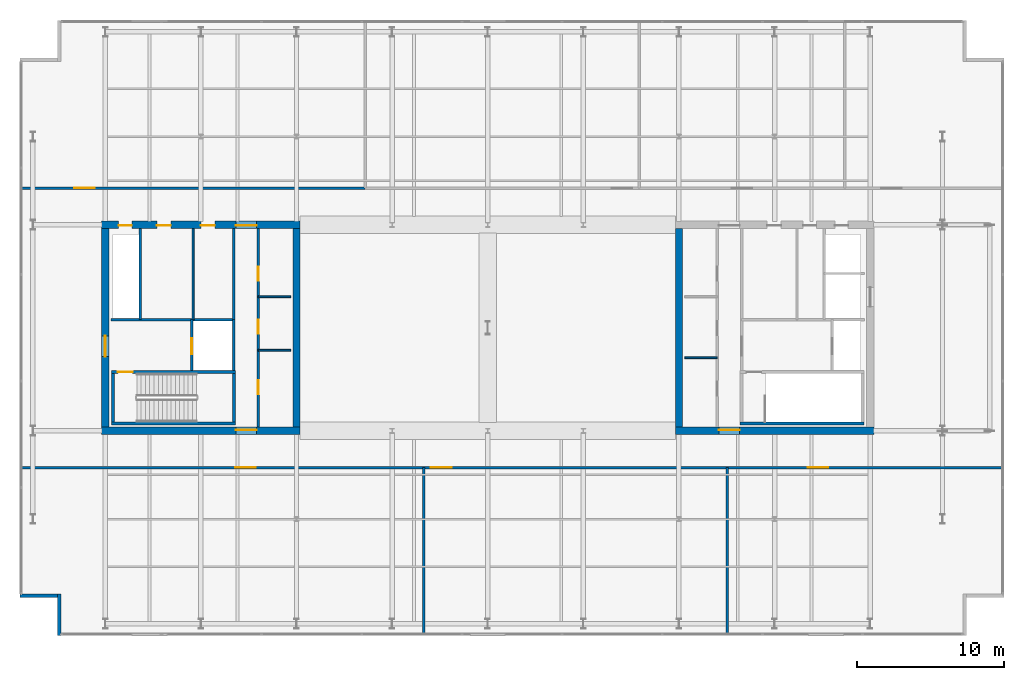
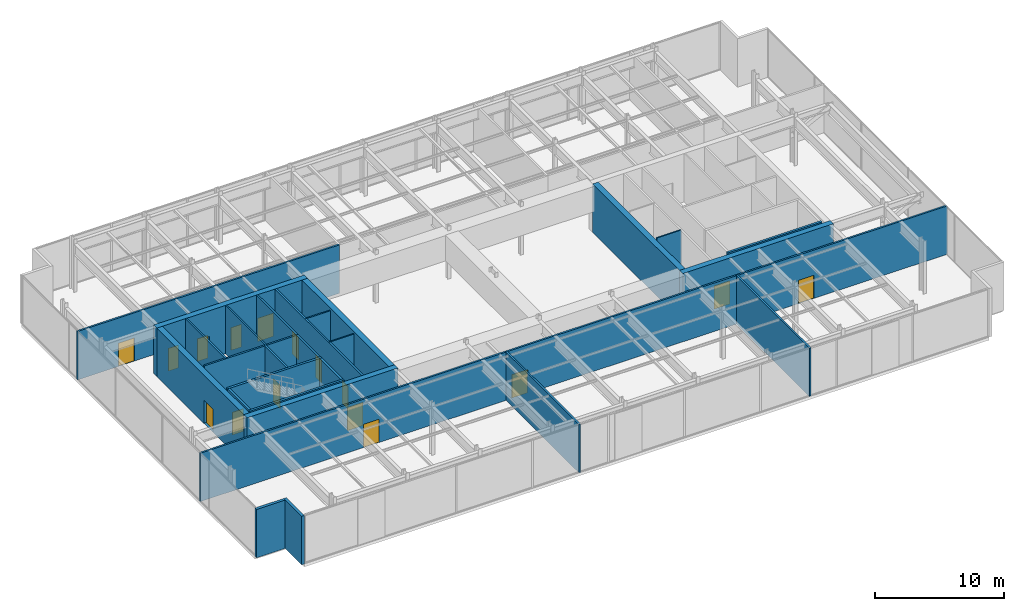
# One storey, part 18 of 21: 29 walls, 16 doors, 16 openings.
"""IFC4 building model written with IfcOpenShell, lengths in metres."""

from ifc_helpers import new_model, si_unit, direction, frame, frame_2d, origin, place, context, subcontext, project, spatial, rectangle, extrude, material, layer, layer_set, type_object, element, fill, save


model = new_model("IFC4")

# Units and contexts
model_context = context("Model", 3, precision=1e-05, world=origin(), true_north=direction((0.0, 1.0)))
body_context = subcontext(model_context, "Body", "Model", "MODEL_VIEW")
ifc_project = project(units=[si_unit("LENGTHUNIT", "METRE"), si_unit("AREAUNIT", "SQUARE_METRE"), si_unit("VOLUMEUNIT", "CUBIC_METRE"), si_unit("PLANEANGLEUNIT", "RADIAN"), si_unit("MASSUNIT", "GRAM", prefix="KILO")], contexts=[model_context])

# Site, building, storey
site_placement = place(None, origin())
site = spatial("IfcSite", under=ifc_project, at=site_placement, CompositionType="ELEMENT")
building_placement = place(site_placement, origin())
building = spatial("IfcBuilding", under=site, at=building_placement, Name="Putna Gate Headquarters", CompositionType="ELEMENT")
storey_placement = place(building_placement, frame((0.0, 0.0, 315.39990234375)))
storey = spatial("IfcBuildingStorey", under=building, at=storey_placement, Name="L79", CompositionType="ELEMENT", Elevation=315.39990234375)

# Wall, opening, door
ifc_material_1 = material(Name="Concrete C50/60", Category="concrete")
ifc_layer_1 = layer(ifc_material_1, 0.5)
ifc_layer_set_1 = layer_set([ifc_layer_1], Name="Concrete C50/60")
wall_type_1 = type_object("IfcWallType", Name="WALL-CORE-500", PredefinedType="SHEAR", material=ifc_layer_set_1)
wall_1_placement = place(storey_placement, frame((12.75, 19.0, 0.0), z_axis=(0.0, 0.0, 1.0), x_axis=(1.0, 0.0, 0.0)))
wall_1 = element("IfcWall", 1, at=wall_1_placement, inside=storey, type_object=wall_type_1, Name="L79 WC Split Core Shear Wall S", PredefinedType="SHEAR", context=body_context, shape_type="SweptSolid", body=[
    extrude(rectangle(XDim=13.5, YDim=0.5, at=frame_2d((6.75, 0.0))), origin(), (0.0, 0.0, 1.0), 4.580078125),
])
opening_1_placement = place(wall_1_placement, frame((9.1298828125, 0.0, 0.0)))
opening_1 = element("IfcOpeningElement", 2, at=opening_1_placement, cuts=wall_1, Name="Opening FDD-140", PredefinedType="OPENING", context=body_context, shape_type="SweptSolid", body=[
    extrude(rectangle(XDim=1.39990234375, YDim=2.199951171875, at=frame_2d((0.699951171875, 1.10009765625))), frame((0.0, 0.260009765625, 0.0), z_axis=(0.0, -1.0, 0.0), x_axis=(1.0, 0.0, 0.0)), (0.0, 0.0, 1.0), 0.52001953125),
])
ifc_material_2 = material(Name="Double steel fire door", Category="steel")
door_type_1 = type_object("IfcDoorType", Name="DOOR-FIRE-DBL-1400", OperationType="DOUBLE_DOOR_SINGLE_SWING", PredefinedType="DOOR", material=ifc_material_2)
door_1_placement = place(opening_1_placement, origin())
door_1 = element("IfcDoor", 3, at=door_1_placement, inside=storey, type_object=door_type_1, Name="L79 West Lift Lobby South Door", OperationType="DOUBLE_DOOR_SINGLE_SWING", OverallHeight=2.199951171875, OverallWidth=1.39990234375, PredefinedType="DOOR", context=body_context, shape_type="SweptSolid", body=[
    extrude(rectangle(XDim=1.39990234375, YDim=2.199951171875, at=frame_2d((0.699951171875, 1.10009765625))), frame((0.0, 0.0751953125, 0.0), z_axis=(0.0, -1.0, 0.0), x_axis=(1.0, 0.0, 0.0)), (0.0, 0.0, 1.0), 0.050048828125),
])
fill(opening_1, door_1)

# Wall, openings, doors
wall_2_placement = place(storey_placement, frame((12.75, 33.0, 0.0), z_axis=(0.0, 0.0, 1.0), x_axis=(1.0, 0.0, 0.0)))
wall_2 = element("IfcWall", 4, at=wall_2_placement, inside=storey, type_object=wall_type_1, Name="L79 WC Split Core Shear Wall N", PredefinedType="SHEAR", context=body_context, shape_type="SweptSolid", body=[
    extrude(rectangle(XDim=13.5, YDim=0.5, at=frame_2d((6.75, 0.0))), origin(), (0.0, 0.0, 1.0), 4.580078125),
])
opening_2_placement = place(wall_2_placement, frame((1.14990234375, 0.0, 0.0)))
opening_2 = element("IfcOpeningElement", 5, at=opening_2_placement, cuts=wall_2, Name="Opening RD-90", PredefinedType="OPENING", context=body_context, shape_type="SweptSolid", body=[
    extrude(rectangle(XDim=0.89990234375, YDim=2.14990234375, at=frame_2d((0.449951171875, 1.074951171875))), frame((0.0, 0.260009765625, 0.0), z_axis=(0.0, -1.0, 0.0), x_axis=(1.0, 0.0, 0.0)), (0.0, 0.0, 1.0), 0.52001953125),
])
opening_3_placement = place(wall_2_placement, frame((3.75, 0.0, 0.0)))
opening_3 = element("IfcOpeningElement", 6, at=opening_3_placement, cuts=wall_2, Name="Opening IDS-95", PredefinedType="OPENING", context=body_context, shape_type="SweptSolid", body=[
    extrude(rectangle(XDim=0.949951171875, YDim=2.14990234375, at=frame_2d((0.47509765625, 1.074951171875))), frame((0.0, 0.260009765625, 0.0), z_axis=(0.0, -1.0, 0.0), x_axis=(1.0, 0.0, 0.0)), (0.0, 0.0, 1.0), 0.52001953125),
])
opening_4_placement = place(wall_2_placement, frame((6.75, 0.0, 0.0)))
opening_4 = element("IfcOpeningElement", 7, at=opening_4_placement, cuts=wall_2, Name="Opening IDS-95", PredefinedType="OPENING", context=body_context, shape_type="SweptSolid", body=[
    extrude(rectangle(XDim=0.949951171875, YDim=2.14990234375, at=frame_2d((0.47509765625, 1.074951171875))), frame((0.0, 0.260009765625, 0.0), z_axis=(0.0, -1.0, 0.0), x_axis=(1.0, 0.0, 0.0)), (0.0, 0.0, 1.0), 0.52001953125),
])
opening_5_placement = place(wall_2_placement, frame((9.1298828125, 0.0, 0.0)))
opening_5 = element("IfcOpeningElement", 8, at=opening_5_placement, cuts=wall_2, Name="Opening FDD-140", PredefinedType="OPENING", context=body_context, shape_type="SweptSolid", body=[
    extrude(rectangle(XDim=1.39990234375, YDim=2.199951171875, at=frame_2d((0.699951171875, 1.10009765625))), frame((0.0, 0.260009765625, 0.0), z_axis=(0.0, -1.0, 0.0), x_axis=(1.0, 0.0, 0.0)), (0.0, 0.0, 1.0), 0.52001953125),
])
door_2_placement = place(opening_5_placement, origin())
door_2 = element("IfcDoor", 9, at=door_2_placement, inside=storey, type_object=door_type_1, Name="L79 West Lift Lobby North Door", OperationType="DOUBLE_DOOR_SINGLE_SWING", OverallHeight=2.199951171875, OverallWidth=1.39990234375, PredefinedType="DOOR", context=body_context, shape_type="SweptSolid", body=[
    extrude(rectangle(XDim=1.39990234375, YDim=2.199951171875, at=frame_2d((0.699951171875, 1.10009765625))), frame((0.0, -0.02490234375, 0.0), z_axis=(0.0, -1.0, 0.0), x_axis=(1.0, 0.0, 0.0)), (0.0, 0.0, 1.0), 0.050048828125),
])
fill(opening_5, door_2)
ifc_material_3 = material(Name="Fire-rated service timber door", Category="wood")
door_type_2 = type_object("IfcDoorType", Name="DOOR-INT-950", OperationType="NOTDEFINED", PredefinedType="DOOR", material=ifc_material_3)
door_3_placement = place(opening_3_placement, origin())
door_3 = element("IfcDoor", 10, at=door_3_placement, inside=storey, type_object=door_type_2, Name="L79 Cleaner Store Door", OperationType="SINGLE_SWING_LEFT", OverallHeight=2.14990234375, OverallWidth=0.949951171875, PredefinedType="DOOR", context=body_context, shape_type="SweptSolid", body=[
    extrude(rectangle(XDim=0.949951171875, YDim=2.14990234375, at=frame_2d((0.47509765625, 1.074951171875))), frame((0.0, -0.02490234375, 0.0), z_axis=(0.0, -1.0, 0.0), x_axis=(1.0, 0.0, 0.0)), (0.0, 0.0, 1.0), 0.050048828125),
])
fill(opening_3, door_3)
door_4_placement = place(opening_4_placement, origin())
door_4 = element("IfcDoor", 11, at=door_4_placement, inside=storey, type_object=door_type_2, Name="L79 Comms Plant Door", OperationType="SINGLE_SWING_RIGHT", OverallHeight=2.14990234375, OverallWidth=0.949951171875, PredefinedType="DOOR", context=body_context, shape_type="SweptSolid", body=[
    extrude(rectangle(XDim=0.949951171875, YDim=2.14990234375, at=frame_2d((0.47509765625, 1.074951171875))), frame((0.0, -0.02490234375, 0.0), z_axis=(0.0, -1.0, 0.0), x_axis=(1.0, 0.0, 0.0)), (0.0, 0.0, 1.0), 0.050048828125),
])
fill(opening_4, door_4)
ifc_material_4 = material(Name="Steel riser access fire door", Category="steel")
door_type_3 = type_object("IfcDoorType", Name="DOOR-RISER-900", OperationType="NOTDEFINED", PredefinedType="DOOR", material=ifc_material_4)
door_5_placement = place(opening_2_placement, origin())
door_5 = element("IfcDoor", 12, at=door_5_placement, inside=storey, type_object=door_type_3, Name="L79 West Riser Access Door", OperationType="SINGLE_SWING_RIGHT", OverallHeight=2.14990234375, OverallWidth=0.89990234375, PredefinedType="DOOR", context=body_context, shape_type="SweptSolid", body=[
    extrude(rectangle(XDim=0.89990234375, YDim=2.14990234375, at=frame_2d((0.449951171875, 1.074951171875))), frame((0.0, -0.02490234375, 0.0), z_axis=(0.0, -1.0, 0.0), x_axis=(1.0, 0.0, 0.0)), (0.0, 0.0, 1.0), 0.050048828125),
])
fill(opening_2, door_5)

# Wall, opening, door
wall_3_placement = place(storey_placement, frame((13.0, 19.25, 0.0), z_axis=(0.0, 0.0, 1.0), x_axis=(0.0, 1.0, 0.0)))
wall_3 = element("IfcWall", 13, at=wall_3_placement, inside=storey, type_object=wall_type_1, Name="L79 WC Split Core Shear Wall W", PredefinedType="SHEAR", context=body_context, shape_type="SweptSolid", body=[
    extrude(rectangle(XDim=13.5, YDim=0.5, at=frame_2d((6.75, 0.0))), origin(), (0.0, 0.0, 1.0), 4.580078125),
])
opening_6_placement = place(wall_3_placement, frame((4.800048828125, 0.0, 0.0)))
opening_6 = element("IfcOpeningElement", 14, at=opening_6_placement, cuts=wall_3, Name="Opening FDD-140", PredefinedType="OPENING", context=body_context, shape_type="SweptSolid", body=[
    extrude(rectangle(XDim=1.39990234375, YDim=2.199951171875, at=frame_2d((0.699951171875, 1.10009765625))), frame((0.0, 0.260009765625, 0.0), z_axis=(0.0, -1.0, 0.0), x_axis=(1.0, 0.0, 0.0)), (0.0, 0.0, 1.0), 0.52001953125),
])
door_6_placement = place(opening_6_placement, origin())
door_6 = element("IfcDoor", 15, at=door_6_placement, inside=storey, type_object=door_type_1, Name="L79 West Firefighting Lobby Door", OperationType="DOUBLE_DOOR_SINGLE_SWING", OverallHeight=2.199951171875, OverallWidth=1.39990234375, PredefinedType="DOOR", context=body_context, shape_type="SweptSolid", body=[
    extrude(rectangle(XDim=1.39990234375, YDim=2.199951171875, at=frame_2d((0.699951171875, 1.10009765625))), frame((0.0, 0.02490234375, 0.0), z_axis=(0.0, -1.0, 0.0), x_axis=(1.0, 0.0, 0.0)), (0.0, 0.0, 1.0), 0.050048828125),
])
fill(opening_6, door_6)

# Wall
wall_4_placement = place(storey_placement, frame((26.0, 19.25, 0.0), z_axis=(0.0, 0.0, 1.0), x_axis=(0.0, 1.0, 0.0)))
element("IfcWall", 16, at=wall_4_placement, inside=storey, type_object=wall_type_1, Name="L79 WC Split Core Shear Wall E", PredefinedType="SHEAR", context=body_context, shape_type="SweptSolid", body=[
    extrude(rectangle(XDim=13.5, YDim=0.5, at=frame_2d((6.75, 0.0))), origin(), (0.0, 0.0, 1.0), 4.580078125),
])

# Wall, opening, door
wall_5_placement = place(storey_placement, frame((51.75, 19.0, 0.0), z_axis=(0.0, 0.0, 1.0), x_axis=(1.0, 0.0, 0.0)))
wall_5 = element("IfcWall", 17, at=wall_5_placement, inside=storey, type_object=wall_type_1, Name="L79 EC Split Core Shear Wall S", PredefinedType="SHEAR", context=body_context, shape_type="SweptSolid", body=[
    extrude(rectangle(XDim=13.5, YDim=0.5, at=frame_2d((6.75, 0.0))), origin(), (0.0, 0.0, 1.0), 4.580078125),
])
opening_7_placement = place(wall_5_placement, frame((2.969970703125, 0.0, 0.0)))
opening_7 = element("IfcOpeningElement", 18, at=opening_7_placement, cuts=wall_5, Name="Opening FDD-140", PredefinedType="OPENING", context=body_context, shape_type="SweptSolid", body=[
    extrude(rectangle(XDim=1.39990234375, YDim=2.199951171875, at=frame_2d((0.699951171875, 1.10009765625))), frame((0.0, 0.260009765625, 0.0), z_axis=(0.0, -1.0, 0.0), x_axis=(1.0, 0.0, 0.0)), (0.0, 0.0, 1.0), 0.52001953125),
])
door_7_placement = place(opening_7_placement, origin())
door_7 = element("IfcDoor", 19, at=door_7_placement, inside=storey, type_object=door_type_1, Name="L79 East Lift Lobby South Door", OperationType="DOUBLE_DOOR_SINGLE_SWING", OverallHeight=2.199951171875, OverallWidth=1.39990234375, PredefinedType="DOOR", context=body_context, shape_type="SweptSolid", body=[
    extrude(rectangle(XDim=1.39990234375, YDim=2.199951171875, at=frame_2d((0.699951171875, 1.10009765625))), frame((0.0, 0.0751953125, 0.0), z_axis=(0.0, -1.0, 0.0), x_axis=(1.0, 0.0, 0.0)), (0.0, 0.0, 1.0), 0.050048828125),
])
fill(opening_7, door_7)

# Walls
wall_6_placement = place(storey_placement, frame((52.0, 19.25, 0.0), z_axis=(0.0, 0.0, 1.0), x_axis=(0.0, 1.0, 0.0)))
element("IfcWall", 20, at=wall_6_placement, inside=storey, type_object=wall_type_1, Name="L79 EC Split Core Shear Wall W", PredefinedType="SHEAR", context=body_context, shape_type="SweptSolid", body=[
    extrude(rectangle(XDim=13.5, YDim=0.5, at=frame_2d((6.75, 0.0))), origin(), (0.0, 0.0, 1.0), 4.580078125),
])
ifc_material_5 = material(Name="Precast concrete C40/50", Category="concrete")
ifc_layer_2 = layer(ifc_material_5, 0.239990234375)
ifc_layer_set_2 = layer_set([ifc_layer_2], Name="Precast concrete C40/50")
wall_type_2 = type_object("IfcWallType", Name="WALL-EXT-TERR-240", PredefinedType="STANDARD", material=ifc_layer_set_2)
wall_7_placement = place(storey_placement, frame((9.8798828125, 5.10009765625, 0.0), z_axis=(0.0, 0.0, 1.0), x_axis=(0.0, 1.0, 0.0)))
element("IfcWall", 21, at=wall_7_placement, inside=storey, type_object=wall_type_2, Name="L79 Corner Notch Return Wall SW-V", PredefinedType="STANDARD", context=body_context, shape_type="SweptSolid", body=[
    extrude(rectangle(XDim=2.7998046875, YDim=0.239990234375, at=frame_2d((1.39990234375, 0.0))), origin(), (0.0, 0.0, 1.0), 4.580078125),
])
wall_8_placement = place(storey_placement, frame((10.0, 7.780029296875, 0.0), z_axis=(0.0, 0.0, 1.0), x_axis=(-1.0, 0.0, 0.0)))
element("IfcWall", 22, at=wall_8_placement, inside=storey, type_object=wall_type_2, Name="L79 Corner Notch Return Wall SW-H", PredefinedType="STANDARD", context=body_context, shape_type="SweptSolid", body=[
    extrude(rectangle(XDim=2.800048828125, YDim=0.239990234375, at=frame_2d((1.39990234375, 0.0))), origin(), (0.0, 0.0, 1.0), 4.580078125),
])
ifc_material_6 = material(Name="Fire-rated gypsum board on metal stud")
ifc_layer_3 = layer(ifc_material_6, 0.1201171875)
ifc_layer_set_3 = layer_set([ifc_layer_3], Name="Fire-rated gypsum board on metal stud")
wall_type_3 = type_object("IfcWallType", Name="WALL-PART-120-RATED", PredefinedType="PARTITIONING", material=ifc_layer_set_3)
wall_9_placement = place(storey_placement, frame((18.969970703125, 26.56005859375, 0.0), z_axis=(0.0, 0.0, 1.0), x_axis=(0.0, 1.0, 0.0)))
element("IfcWall", 23, at=wall_9_placement, inside=storey, type_object=wall_type_3, Name="L79 Interior Wall CWINT-L79-WC-K0-DIV", PredefinedType="PARTITIONING", context=body_context, shape_type="SweptSolid", body=[
    extrude(rectangle(XDim=6.18994140625, YDim=0.1201171875, at=frame_2d((3.094970703125, 0.0))), origin(), (0.0, 0.0, 1.0), 4.580078125),
])
for number, where, z_axis, x_axis, name in (
    (24, (23.39990234375, 24.469970703125, 0.0), (0.0, 0.0, 1.0), (1.0, 0.0, 0.0), "L79 Interior Wall CWINT-L79-WC-REUSE-DIV"),
    (25, (23.39990234375, 28.1201171875, 0.0), (0.0, 0.0, 1.0), (1.0, 0.0, 0.0), "L79 Interior Wall CWINT-L79-WC-LF06-DIV"),
    (26, (52.39990234375, 23.969970703125, 0.0), (0.0, 0.0, 1.0), (1.0, 0.0, 0.0), "L79 Interior Wall CWINT-L79-EC-REUSE-DIV"),
):
    element("IfcWall", number, at=place(storey_placement, frame(where, z_axis=z_axis, x_axis=x_axis)), inside=storey, type_object=wall_type_3, Name=name, PredefinedType="PARTITIONING", context=body_context, shape_type="SweptSolid", body=[
        extrude(rectangle(XDim=2.2001953125, YDim=0.1201171875, at=frame_2d((1.10009765625, 0.0))), origin(), (0.0, 0.0, 1.0), 4.580078125),
    ])
ifc_material_7 = material(Name="Concrete C40/50", Category="concrete")
ifc_layer_4 = layer(ifc_material_7, 0.159912109375)
ifc_layer_set_4 = layer_set([ifc_layer_4], Name="Concrete C40/50")
wall_type_4 = type_object("IfcWallType", Name="WALL-SHAFT-160", PredefinedType="STANDARD", material=ifc_layer_set_4)
wall_10_placement = place(storey_placement, frame((21.739990234375, 23.090087890625, 0.0), z_axis=(0.0, 0.0, 1.0), x_axis=(0.0, 1.0, 0.0)))
element("IfcWall", 27, at=wall_10_placement, inside=storey, type_object=wall_type_4, Name="L79 Interior Wall CWINT-L79-WC-FFL-E", PredefinedType="STANDARD", context=body_context, shape_type="SweptSolid", body=[
    extrude(rectangle(XDim=3.469970703125, YDim=0.159912109375, at=frame_2d((1.73486328125, 0.0))), origin(), (0.0, 0.0, 1.0), 4.580078125),
])

# Wall, opening, door
wall_11_placement = place(storey_placement, frame((18.8798828125, 23.090087890625, 0.0), z_axis=(0.0, 0.0, 1.0), x_axis=(0.0, 1.0, 0.0)))
wall_11 = element("IfcWall", 28, at=wall_11_placement, inside=storey, type_object=wall_type_4, Name="L79 Interior Wall CWINT-L79-WC-LF13-W", PredefinedType="STANDARD", context=body_context, shape_type="SweptSolid", body=[
    extrude(rectangle(XDim=3.469970703125, YDim=0.159912109375, at=frame_2d((1.73486328125, 0.0))), origin(), (0.0, 0.0, 1.0), 4.580078125),
])
opening_8_placement = place(wall_11_placement, frame((1.10009765625, 0.0, 0.0)))
opening_8 = element("IfcOpeningElement", 29, at=opening_8_placement, cuts=wall_11, Name="Opening LD-1", PredefinedType="OPENING", context=body_context, shape_type="SweptSolid", body=[
    extrude(rectangle(XDim=1.10009765625, YDim=2.199951171875, at=frame_2d((0.550048828125, 1.10009765625))), frame((0.0, 0.08984375, 0.0), z_axis=(0.0, -1.0, 0.0), x_axis=(1.0, 0.0, 0.0)), (0.0, 0.0, 1.0), 0.179931640625),
])
ifc_material_8 = material(Name="Brushed bronze stainless lift landing door")
door_type_4 = type_object("IfcDoorType", Name="DOOR-LIFT-1100", OperationType="DOUBLE_DOOR_SLIDING", PredefinedType="DOOR", material=ifc_material_8)
door_8_placement = place(opening_8_placement, origin())
door_8 = element("IfcDoor", 30, at=door_8_placement, inside=storey, type_object=door_type_4, Name="L79 Lift Landing Door LD-13", OperationType="DOUBLE_DOOR_SLIDING", OverallHeight=2.199951171875, OverallWidth=1.10009765625, PredefinedType="DOOR", context=body_context, shape_type="SweptSolid", body=[
    extrude(rectangle(XDim=1.10009765625, YDim=2.199951171875, at=frame_2d((0.550048828125, 1.10009765625))), frame((0.0, 0.02490234375, 0.0), z_axis=(0.0, -1.0, 0.0), x_axis=(1.0, 0.0, 0.0)), (0.0, 0.0, 1.0), 0.050048828125),
])
fill(opening_8, door_8)

# Walls
wall_12_placement = place(storey_placement, frame((13.39990234375, 26.56005859375, 0.0), z_axis=(0.0, 0.0, 1.0), x_axis=(1.0, 0.0, 0.0)))
element("IfcWall", 31, at=wall_12_placement, inside=storey, type_object=wall_type_4, Name="L79 Interior Wall CWINT-L79-WC-FFL-N", PredefinedType="STANDARD", context=body_context, shape_type="SweptSolid", body=[
    extrude(rectangle(XDim=8.340087890625, YDim=0.159912109375, at=frame_2d((4.169921875, 0.0))), origin(), (0.0, 0.0, 1.0), 4.580078125),
])
for number, where, z_axis, x_axis, name in (
    (32, (15.3798828125, 26.56005859375, 0.0), (0.0, 0.0, 1.0), (0.0, 1.0, 0.0), "L79 Interior Wall CWINT-L79-WC-RISER-E"),
    (33, (21.739990234375, 26.56005859375, 0.0), (0.0, 0.0, 1.0), (0.0, 1.0, 0.0), "L79 Interior Wall CWINT-L79-WC-LOB-W"),
):
    element("IfcWall", number, at=place(storey_placement, frame(where, z_axis=z_axis, x_axis=x_axis)), inside=storey, type_object=wall_type_4, Name=name, PredefinedType="STANDARD", context=body_context, shape_type="SweptSolid", body=[
        extrude(rectangle(XDim=6.18994140625, YDim=0.159912109375, at=frame_2d((3.094970703125, 0.0))), origin(), (0.0, 0.0, 1.0), 4.580078125),
    ])

# Wall, openings, doors
wall_13_placement = place(storey_placement, frame((23.39990234375, 19.25, 0.0), z_axis=(0.0, 0.0, 1.0), x_axis=(0.0, 1.0, 0.0)))
wall_13 = element("IfcWall", 34, at=wall_13_placement, inside=storey, type_object=wall_type_4, Name="L79 Interior Wall CWINT-L79-WC-PL-WALL", PredefinedType="STANDARD", context=body_context, shape_type="SweptSolid", body=[
    extrude(rectangle(XDim=13.5, YDim=0.159912109375, at=frame_2d((6.75, 0.0))), origin(), (0.0, 0.0, 1.0), 4.580078125),
])
opening_9_placement = place(wall_13_placement, frame((2.25, 0.0, 0.0)))
opening_9 = element("IfcOpeningElement", 35, at=opening_9_placement, cuts=wall_13, Name="Opening IDS-95", PredefinedType="OPENING", context=body_context, shape_type="SweptSolid", body=[
    extrude(rectangle(XDim=0.949951171875, YDim=2.14990234375, at=frame_2d((0.47509765625, 1.074951171875))), frame((0.0, 0.08984375, 0.0), z_axis=(0.0, -1.0, 0.0), x_axis=(1.0, 0.0, 0.0)), (0.0, 0.0, 1.0), 0.179931640625),
])
opening_10_placement = place(wall_13_placement, frame((6.35009765625, 0.0, 0.0)))
opening_10 = element("IfcOpeningElement", 36, at=opening_10_placement, cuts=wall_13, Name="Opening IDS-95", PredefinedType="OPENING", context=body_context, shape_type="SweptSolid", body=[
    extrude(rectangle(XDim=0.949951171875, YDim=2.14990234375, at=frame_2d((0.47509765625, 1.074951171875))), frame((0.0, 0.08984375, 0.0), z_axis=(0.0, -1.0, 0.0), x_axis=(1.0, 0.0, 0.0)), (0.0, 0.0, 1.0), 0.179931640625),
])
opening_11_placement = place(wall_13_placement, frame((9.949951171875, 0.0, 0.0)))
opening_11 = element("IfcOpeningElement", 37, at=opening_11_placement, cuts=wall_13, Name="Opening IDS-95F", PredefinedType="OPENING", context=body_context, shape_type="SweptSolid", body=[
    extrude(rectangle(XDim=0.949951171875, YDim=2.14990234375, at=frame_2d((0.47509765625, 1.074951171875))), frame((0.0, 0.08984375, 0.0), z_axis=(0.0, -1.0, 0.0), x_axis=(1.0, 0.0, 0.0)), (0.0, 0.0, 1.0), 0.179931640625),
])
door_9_placement = place(opening_9_placement, origin())
door_9 = element("IfcDoor", 38, at=door_9_placement, inside=storey, type_object=door_type_2, Name="L79 Tenant IT Hub Door", OperationType="SINGLE_SWING_LEFT", OverallHeight=2.14990234375, OverallWidth=0.949951171875, PredefinedType="DOOR", context=body_context, shape_type="SweptSolid", body=[
    extrude(rectangle(XDim=0.949951171875, YDim=2.14990234375, at=frame_2d((0.47509765625, 1.074951171875))), frame((0.0, 0.02490234375, 0.0), z_axis=(0.0, -1.0, 0.0), x_axis=(1.0, 0.0, 0.0)), (0.0, 0.0, 1.0), 0.050048828125),
])
fill(opening_9, door_9)
door_10_placement = place(opening_10_placement, origin())
door_10 = element("IfcDoor", 39, at=door_10_placement, inside=storey, type_object=door_type_2, Name="L79 Records Vault Door", OperationType="SINGLE_SWING_RIGHT", OverallHeight=2.14990234375, OverallWidth=0.949951171875, PredefinedType="DOOR", context=body_context, shape_type="SweptSolid", body=[
    extrude(rectangle(XDim=0.949951171875, YDim=2.14990234375, at=frame_2d((0.47509765625, 1.074951171875))), frame((0.0, 0.02490234375, 0.0), z_axis=(0.0, -1.0, 0.0), x_axis=(1.0, 0.0, 0.0)), (0.0, 0.0, 1.0), 0.050048828125),
])
fill(opening_10, door_10)
ifc_material_9 = material(Name="Steel-faced fire door", Category="steel")
door_type_5 = type_object("IfcDoorType", Name="DOOR-INT-950-EI90", OperationType="NOTDEFINED", PredefinedType="DOOR", material=ifc_material_9)
door_11_placement = place(opening_11_placement, origin())
door_11 = element("IfcDoor", 40, at=door_11_placement, inside=storey, type_object=door_type_5, Name="L79 Hoistway Machinery West Door", OperationType="SINGLE_SWING_LEFT", OverallHeight=2.14990234375, OverallWidth=0.949951171875, PredefinedType="DOOR", context=body_context, shape_type="SweptSolid", body=[
    extrude(rectangle(XDim=0.949951171875, YDim=2.14990234375, at=frame_2d((0.47509765625, 1.074951171875))), frame((0.0, 0.02490234375, 0.0), z_axis=(0.0, -1.0, 0.0), x_axis=(1.0, 0.0, 0.0)), (0.0, 0.0, 1.0), 0.050048828125),
])
fill(opening_11, door_11)

# Wall, opening, door
wall_14_placement = place(storey_placement, frame((7.219970703125, 35.5, 0.0), z_axis=(0.0, 0.0, 1.0), x_axis=(1.0, 0.0, 0.0)))
wall_14 = element("IfcWall", 41, at=wall_14_placement, inside=storey, type_object=wall_type_4, Name="L79 Interior Wall PART-L79-PN-CW1", PredefinedType="STANDARD", context=body_context, shape_type="SweptSolid", body=[
    extrude(rectangle(XDim=23.448974609375, YDim=0.159912109375, at=frame_2d((11.724609375, 0.0))), origin(), (0.0, 0.0, 1.0), 4.580078125),
])
opening_12_placement = place(wall_14_placement, frame((3.659912109375, 0.0, 0.0)))
opening_12 = element("IfcOpeningElement", 42, at=opening_12_placement, cuts=wall_14, Name="Opening FDD-140", PredefinedType="OPENING", context=body_context, shape_type="SweptSolid", body=[
    extrude(rectangle(XDim=1.39990234375, YDim=2.199951171875, at=frame_2d((0.699951171875, 1.10009765625))), frame((0.0, 0.08984375, 0.0), z_axis=(0.0, -1.0, 0.0), x_axis=(1.0, 0.0, 0.0)), (0.0, 0.0, 1.0), 0.179931640625),
])
door_12_placement = place(opening_12_placement, origin())
door_12 = element("IfcDoor", 43, at=door_12_placement, inside=storey, type_object=door_type_1, Name="L79 AHU Ventilation Plant Room Door", OperationType="DOUBLE_DOOR_SINGLE_SWING", OverallHeight=2.199951171875, OverallWidth=1.39990234375, PredefinedType="DOOR", context=body_context, shape_type="SweptSolid", body=[
    extrude(rectangle(XDim=1.39990234375, YDim=2.199951171875, at=frame_2d((0.699951171875, 1.10009765625))), frame((0.0, 0.02490234375, 0.0), z_axis=(0.0, -1.0, 0.0), x_axis=(1.0, 0.0, 0.0)), (0.0, 0.0, 1.0), 0.050048828125),
])
fill(opening_12, door_12)

# Wall
wall_15_placement = place(storey_placement, frame((34.661376953125, 5.1201171875, 0.0), z_axis=(0.0, 0.0, 1.0), x_axis=(0.0, 1.0, 0.0)))
element("IfcWall", 44, at=wall_15_placement, inside=storey, type_object=wall_type_4, Name="L79 Interior Wall PART-L79-PS-DIV1", PredefinedType="STANDARD", context=body_context, shape_type="SweptSolid", body=[
    extrude(rectangle(XDim=11.3798828125, YDim=0.159912109375, at=frame_2d((5.68994140625, 0.0))), origin(), (0.0, 0.0, 1.0), 4.580078125),
])

# Wall, opening, door
wall_16_placement = place(storey_placement, frame((7.219970703125, 16.5, 0.0), z_axis=(0.0, 0.0, 1.0), x_axis=(1.0, 0.0, 0.0)))
wall_16 = element("IfcWall", 45, at=wall_16_placement, inside=storey, type_object=wall_type_4, Name="L79 Interior Wall PART-L79-PS-CW1", PredefinedType="STANDARD", context=body_context, shape_type="SweptSolid", body=[
    extrude(rectangle(XDim=27.44140625, YDim=0.159912109375, at=frame_2d((13.720703125, 0.0))), origin(), (0.0, 0.0, 1.0), 4.580078125),
])
opening_13_placement = place(wall_16_placement, frame((14.610595703125, 0.0, 0.0)))
opening_13 = element("IfcOpeningElement", 46, at=opening_13_placement, cuts=wall_16, Name="Opening FDD-140", PredefinedType="OPENING", context=body_context, shape_type="SweptSolid", body=[
    extrude(rectangle(XDim=1.39990234375, YDim=2.199951171875, at=frame_2d((0.699951171875, 1.10009765625))), frame((0.0, 0.08984375, 0.0), z_axis=(0.0, -1.0, 0.0), x_axis=(1.0, 0.0, 0.0)), (0.0, 0.0, 1.0), 0.179931640625),
])
door_13_placement = place(opening_13_placement, origin())
door_13 = element("IfcDoor", 47, at=door_13_placement, inside=storey, type_object=door_type_1, Name="L79 Domestic and Fire Water Booster Pump Room Door", OperationType="DOUBLE_DOOR_SINGLE_SWING", OverallHeight=2.199951171875, OverallWidth=1.39990234375, PredefinedType="DOOR", context=body_context, shape_type="SweptSolid", body=[
    extrude(rectangle(XDim=1.39990234375, YDim=2.199951171875, at=frame_2d((0.699951171875, 1.10009765625))), frame((0.0, 0.02490234375, 0.0), z_axis=(0.0, -1.0, 0.0), x_axis=(1.0, 0.0, 0.0)), (0.0, 0.0, 1.0), 0.050048828125),
])
fill(opening_13, door_13)

# Wall
wall_17_placement = place(storey_placement, frame((55.288818359375, 5.1201171875, 0.0), z_axis=(0.0, 0.0, 1.0), x_axis=(0.0, 1.0, 0.0)))
element("IfcWall", 48, at=wall_17_placement, inside=storey, type_object=wall_type_4, Name="L79 Interior Wall PART-L79-PS-DIV2", PredefinedType="STANDARD", context=body_context, shape_type="SweptSolid", body=[
    extrude(rectangle(XDim=11.3798828125, YDim=0.159912109375, at=frame_2d((5.68994140625, 0.0))), origin(), (0.0, 0.0, 1.0), 4.580078125),
])

# Wall, opening, door
wall_18_placement = place(storey_placement, frame((34.661376953125, 16.5, 0.0), z_axis=(0.0, 0.0, 1.0), x_axis=(1.0, 0.0, 0.0)))
wall_18 = element("IfcWall", 49, at=wall_18_placement, inside=storey, type_object=wall_type_4, Name="L79 Interior Wall PART-L79-PS-CW2", PredefinedType="STANDARD", context=body_context, shape_type="SweptSolid", body=[
    extrude(rectangle(XDim=20.62744140625, YDim=0.159912109375, at=frame_2d((10.313720703125, 0.0))), origin(), (0.0, 0.0, 1.0), 4.580078125),
])
opening_14_placement = place(wall_18_placement, frame((0.47998046875, 0.0, 0.0)))
opening_14 = element("IfcOpeningElement", 50, at=opening_14_placement, cuts=wall_18, Name="Opening FDD-140", PredefinedType="OPENING", context=body_context, shape_type="SweptSolid", body=[
    extrude(rectangle(XDim=1.39990234375, YDim=2.199951171875, at=frame_2d((0.699951171875, 1.10009765625))), frame((0.0, 0.08984375, 0.0), z_axis=(0.0, -1.0, 0.0), x_axis=(1.0, 0.0, 0.0)), (0.0, 0.0, 1.0), 0.179931640625),
])
door_14_placement = place(opening_14_placement, origin())
door_14 = element("IfcDoor", 51, at=door_14_placement, inside=storey, type_object=door_type_1, Name="L79 Thermal Energy Storage and Calorifier Plant Door", OperationType="DOUBLE_DOOR_SINGLE_SWING", OverallHeight=2.199951171875, OverallWidth=1.39990234375, PredefinedType="DOOR", context=body_context, shape_type="SweptSolid", body=[
    extrude(rectangle(XDim=1.39990234375, YDim=2.199951171875, at=frame_2d((0.699951171875, 1.10009765625))), frame((0.0, 0.02490234375, 0.0), z_axis=(0.0, -1.0, 0.0), x_axis=(1.0, 0.0, 0.0)), (0.0, 0.0, 1.0), 0.050048828125),
])
fill(opening_14, door_14)

wall_19_placement = place(storey_placement, frame((55.288818359375, 16.5, 0.0), z_axis=(0.0, 0.0, 1.0), x_axis=(1.0, 0.0, 0.0)))
wall_19 = element("IfcWall", 52, at=wall_19_placement, inside=storey, type_object=wall_type_4, Name="L79 Interior Wall PART-L79-PS-CW3", PredefinedType="STANDARD", context=body_context, shape_type="SweptSolid", body=[
    extrude(rectangle(XDim=18.791259765625, YDim=0.159912109375, at=frame_2d((9.3955078125, 0.0))), origin(), (0.0, 0.0, 1.0), 4.580078125),
])
opening_15_placement = place(wall_19_placement, frame((5.45556640625, 0.0, 0.0)))
opening_15 = element("IfcOpeningElement", 53, at=opening_15_placement, cuts=wall_19, Name="Opening FDD-140", PredefinedType="OPENING", context=body_context, shape_type="SweptSolid", body=[
    extrude(rectangle(XDim=1.39990234375, YDim=2.199951171875, at=frame_2d((0.699951171875, 1.10009765625))), frame((0.0, 0.08984375, 0.0), z_axis=(0.0, -1.0, 0.0), x_axis=(1.0, 0.0, 0.0)), (0.0, 0.0, 1.0), 0.179931640625),
])
door_15_placement = place(opening_15_placement, origin())
door_15 = element("IfcDoor", 54, at=door_15_placement, inside=storey, type_object=door_type_1, Name="L79 Emergency Power and UPS Battery Plant Room Door", OperationType="DOUBLE_DOOR_SINGLE_SWING", OverallHeight=2.199951171875, OverallWidth=1.39990234375, PredefinedType="DOOR", context=body_context, shape_type="SweptSolid", body=[
    extrude(rectangle(XDim=1.39990234375, YDim=2.199951171875, at=frame_2d((0.699951171875, 1.10009765625))), frame((0.0, 0.02490234375, 0.0), z_axis=(0.0, -1.0, 0.0), x_axis=(1.0, 0.0, 0.0)), (0.0, 0.0, 1.0), 0.050048828125),
])
fill(opening_15, door_15)

# Wall
ifc_layer_5 = layer(ifc_material_7, 0.199951171875)
ifc_layer_set_5 = layer_set([ifc_layer_5], Name="Concrete C40/50")
wall_type_5 = type_object("IfcWallType", Name="WALL-SHAFT-RC200", PredefinedType="SHEAR", material=ifc_layer_set_5)
wall_20_placement = place(storey_placement, frame((13.409912109375, 19.510009765625, 0.0), z_axis=(0.0, 0.0, 1.0), x_axis=(1.0, 0.0, 0.0)))
element("IfcWall", 55, at=wall_20_placement, inside=storey, type_object=wall_type_5, Name="L79 Stair ST1 Structural Shaft Wall S", PredefinedType="SHEAR", context=body_context, shape_type="SweptSolid", body=[
    extrude(rectangle(XDim=8.43017578125, YDim=0.199951171875, at=frame_2d((4.215087890625, 0.0))), origin(), (0.0, 0.0, 1.0), 4.580078125),
])

# Wall, opening, door
wall_21_placement = place(storey_placement, frame((13.409912109375, 22.989990234375, 0.0), z_axis=(0.0, 0.0, 1.0), x_axis=(1.0, 0.0, 0.0)))
wall_21 = element("IfcWall", 56, at=wall_21_placement, inside=storey, type_object=wall_type_5, Name="L79 Stair ST1 Structural Shaft Wall N", PredefinedType="SHEAR", context=body_context, shape_type="SweptSolid", body=[
    extrude(rectangle(XDim=8.43017578125, YDim=0.199951171875, at=frame_2d((4.215087890625, 0.0))), origin(), (0.0, 0.0, 1.0), 4.580078125),
])
opening_16_placement = place(wall_21_placement, frame((0.449951171875, 0.0, 0.0)))
opening_16 = element("IfcOpeningElement", 57, at=opening_16_placement, cuts=wall_21, Name="Opening FD-100", PredefinedType="OPENING", context=body_context, shape_type="SweptSolid", body=[
    extrude(rectangle(XDim=1.0, YDim=2.14990234375, at=frame_2d((0.5, 1.074951171875))), frame((0.0, 0.10986328125, 0.0), z_axis=(0.0, -1.0, 0.0), x_axis=(1.0, 0.0, 0.0)), (0.0, 0.0, 1.0), 0.219970703125),
])
ifc_material_10 = material(Name="Powder-coated steel fire door", Category="steel")
door_type_6 = type_object("IfcDoorType", Name="DOOR-FIRE-1000", OperationType="NOTDEFINED", PredefinedType="DOOR", material=ifc_material_10)
door_16_placement = place(opening_16_placement, origin())
door_16 = element("IfcDoor", 58, at=door_16_placement, inside=storey, type_object=door_type_6, Name="L79 Stair ST1 Fire Door", OperationType="SINGLE_SWING_LEFT", OverallHeight=2.14990234375, OverallWidth=1.0, PredefinedType="DOOR", context=body_context, shape_type="SweptSolid", body=[
    extrude(rectangle(XDim=1.0, YDim=2.14990234375, at=frame_2d((0.5, 1.074951171875))), frame((0.0, 0.02490234375, 0.0), z_axis=(0.0, -1.0, 0.0), x_axis=(1.0, 0.0, 0.0)), (0.0, 0.0, 1.0), 0.050048828125),
])
fill(opening_16, door_16)

# Walls
for number, where, z_axis, x_axis, name in (
    (59, (13.510009765625, 19.610107421875, 0.0), (0.0, 0.0, 1.0), (0.0, 1.0, 0.0), "L79 Stair ST1 Structural Shaft Wall W"),
    (60, (21.739990234375, 19.610107421875, 0.0), (0.0, 0.0, 1.0), (0.0, 1.0, 0.0), "L79 Stair ST1 Structural Shaft Wall E"),
):
    element("IfcWall", number, at=place(storey_placement, frame(where, z_axis=z_axis, x_axis=x_axis)), inside=storey, type_object=wall_type_5, Name=name, PredefinedType="SHEAR", context=body_context, shape_type="SweptSolid", body=[
        extrude(rectangle(XDim=3.27978515625, YDim=0.199951171875, at=frame_2d((1.639892578125, 0.0))), origin(), (0.0, 0.0, 1.0), 4.580078125),
    ])
wall_22_placement = place(storey_placement, frame((56.159912109375, 19.510009765625, 0.0), z_axis=(0.0, 0.0, 1.0), x_axis=(1.0, 0.0, 0.0)))
element("IfcWall", 61, at=wall_22_placement, inside=storey, type_object=wall_type_5, Name="L79 Stair ST2 Structural Shaft Wall S", PredefinedType="SHEAR", context=body_context, shape_type="SweptSolid", body=[
    extrude(rectangle(XDim=8.43017578125, YDim=0.199951171875, at=frame_2d((4.215087890625, 0.0))), origin(), (0.0, 0.0, 1.0), 4.580078125),
])

save(model, "model.ifc")
